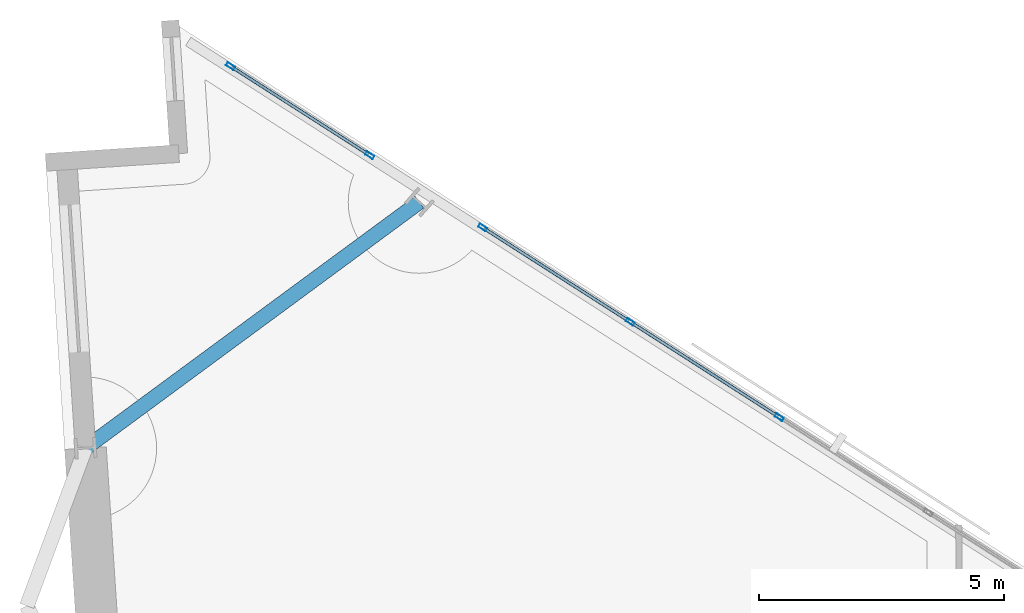
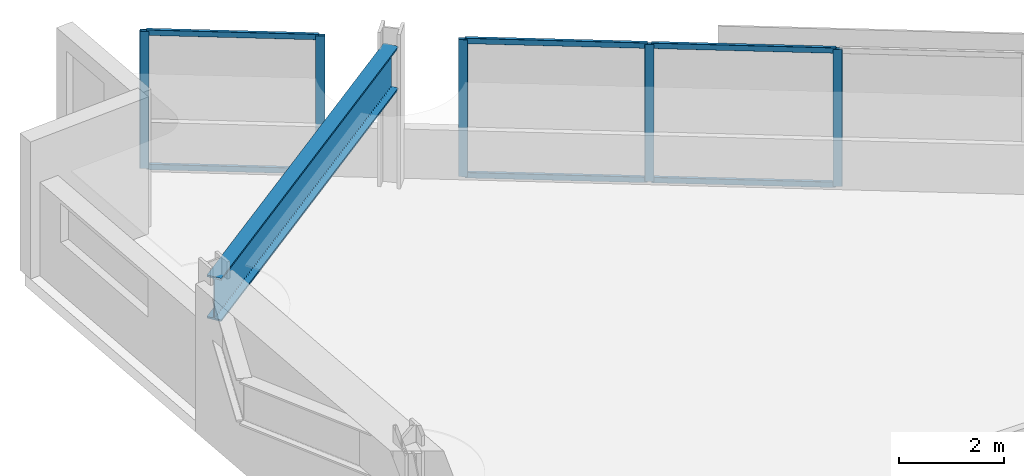
# One storey, part 8 of 15: 11 members, 1 beam, 2 elements without a shape of their own.
"""IFC4 building model written with IfcOpenShell, lengths in metres."""

from ifc_helpers import new_model, si_unit, direction, frame, origin, origin_2d, place, context, subcontext, project, spatial, hollow_rectangle, i_section, extrude, material, material_profile, profile_set, type_object, element, aggregate, save


model = new_model("IFC4")

# Units and contexts
model_context = context("Model", 3, precision=1e-05, world=origin(), true_north=direction((0.0, 1.0)))
body_context = subcontext(model_context, "Body", "Model", "MODEL_VIEW")
ifc_project = project(units=[si_unit("LENGTHUNIT", "METRE"), si_unit("AREAUNIT", "SQUARE_METRE"), si_unit("VOLUMEUNIT", "CUBIC_METRE"), si_unit("PLANEANGLEUNIT", "RADIAN"), si_unit("MASSUNIT", "GRAM", prefix="KILO")], contexts=[model_context])

# Site, building, storey
site_placement = place(None, origin())
site = spatial("IfcSite", under=ifc_project, at=site_placement, CompositionType="ELEMENT")
building_placement = place(site_placement, origin())
building = spatial("IfcBuilding", under=site, at=building_placement, Name="Narakoshi Arena Tower", CompositionType="ELEMENT")
storey_placement = place(building_placement, frame((0.0, 0.0, 92.10009765625)))
storey = spatial("IfcBuildingStorey", under=building, at=storey_placement, Name="L24", CompositionType="ELEMENT", Elevation=92.10009765625)

# Beam
ifc_material_1 = material(Name="Structural steel S460ML", Category="steel")
ifc_material_profile_1 = material_profile(ifc_material_1, i_section(OverallWidth=0.302001953125, OverallDepth=1.008056640625, WebThickness=0.02099609375, FlangeThickness=0.0400390625, FilletRadius=0.030029296875, at=origin_2d()), Name="HE1000M")
ifc_profile_set_1 = profile_set([ifc_material_profile_1], Name="Structural steel S460ML")
beam_type = type_object("IfcBeamType", Name="BM-XFER-1000", PredefinedType="BEAM", material=ifc_profile_set_1)
beam_placement = place(storey_placement, frame((67.58984375, 76.04345703125, 2.69580078125), z_axis=(-0.805132069621, -0.59309556605, 0.0), x_axis=(0.59309556605, -0.805132069621, 0.0)))
element("IfcBeam", 1, at=beam_placement, inside=storey, type_object=beam_type, Name="L24 Block-Turn Transfer Chord Girder 09", PredefinedType="BEAM", context=body_context, shape_type="SweptSolid", body=[
    extrude(i_section(OverallWidth=0.302001953125, OverallDepth=1.008056640625, WebThickness=0.02099609375, FlangeThickness=0.0400390625, FilletRadius=0.030029296875, at=origin_2d()), origin(), (0.0, 0.0, 1.0), 8.451416015625),
])

# Curtain wall, members
ifc_material_2 = material(Name="Anodised bronze aluminium 6063-T6", Category="aluminium")
curtain_wall_type = type_object("IfcCurtainWallType", Name="CW-HYP-LOW", PredefinedType="NOTDEFINED", material=ifc_material_2)
curtain_wall_1_placement = place(storey_placement, origin())
curtain_wall_1 = element("IfcCurtainWall", 2, at=curtain_wall_1_placement, inside=storey, type_object=curtain_wall_type, Name="L24 Folded Hypotenuse Curtain Wall 2-1", PredefinedType="NOTDEFINED")
ifc_material_profile_2 = material_profile(ifc_material_2, hollow_rectangle(XDim=0.074951171875, YDim=0.179931640625, WallThickness=0.00390625, OuterFilletRadius=0.0048828125, at=origin_2d()), Name="MUL180x75x4")
ifc_profile_set_2 = profile_set([ifc_material_profile_2], Name="Anodised bronze aluminium 6063-T6")
member_type_1 = type_object("IfcMemberType", Name="MEM-MUL-180", PredefinedType="MULLION", material=ifc_profile_set_2)
member_1_placement = place(storey_placement, frame((74.923828125, 71.660888671875, 0.0), z_axis=(0.0, 0.0, 1.0), x_axis=(-0.538830623288, -0.842414125835, 0.0)))
member_1 = element("IfcMember", 3, at=member_1_placement, type_object=member_type_1, Name="CW-01 mullion 4", PredefinedType="MULLION", context=body_context, shape_type="SweptSolid", body=[
    extrude(hollow_rectangle(XDim=0.074951171875, YDim=0.179931640625, WallThickness=0.00390625, OuterFilletRadius=0.0048828125, at=origin_2d()), origin(), (0.0, 0.0, 1.0), 3.199951171875),
])
member_2_placement = place(storey_placement, frame((71.88671875, 73.603759765625, 0.0), z_axis=(0.0, 0.0, 1.0), x_axis=(-0.538830623288, -0.842414125835, 0.0)))
member_2 = element("IfcMember", 4, at=member_2_placement, type_object=member_type_1, Name="CW-01 mullion 5", PredefinedType="MULLION", context=body_context, shape_type="SweptSolid", body=[
    extrude(hollow_rectangle(XDim=0.074951171875, YDim=0.179931640625, WallThickness=0.00390625, OuterFilletRadius=0.0048828125, at=origin_2d()), origin(), (0.0, 0.0, 1.0), 3.199951171875),
])
member_3_placement = place(storey_placement, frame((68.881103515625, 75.526123046875, 0.0), z_axis=(0.0, 0.0, 1.0), x_axis=(-0.538830623288, -0.842414125835, 0.0)))
member_3 = element("IfcMember", 5, at=member_3_placement, type_object=member_type_1, Name="CW-01 mullion 6", PredefinedType="MULLION", context=body_context, shape_type="SweptSolid", body=[
    extrude(hollow_rectangle(XDim=0.074951171875, YDim=0.179931640625, WallThickness=0.00390625, OuterFilletRadius=0.0048828125, at=origin_2d()), origin(), (0.0, 0.0, 1.0), 3.199951171875),
])

curtain_wall_2_placement = place(storey_placement, origin())
curtain_wall_2 = element("IfcCurtainWall", 6, at=curtain_wall_2_placement, inside=storey, type_object=curtain_wall_type, Name="L24 Folded Hypotenuse Curtain Wall 2-2", PredefinedType="NOTDEFINED")
member_4_placement = place(storey_placement, frame((66.5791015625, 76.99853515625, 0.0), z_axis=(0.0, 0.0, 1.0), x_axis=(-0.538846858807, -0.842403740943, 0.0)))
member_4 = element("IfcMember", 7, at=member_4_placement, type_object=member_type_1, Name="CW-01 mullion 1", PredefinedType="MULLION", context=body_context, shape_type="SweptSolid", body=[
    extrude(hollow_rectangle(XDim=0.074951171875, YDim=0.179931640625, WallThickness=0.00390625, OuterFilletRadius=0.0048828125, at=origin_2d()), origin(), (0.0, 0.0, 1.0), 3.199951171875),
])
member_5_placement = place(storey_placement, frame((63.7412109375, 78.813720703125, 0.0), z_axis=(0.0, 0.0, 1.0), x_axis=(-0.538846858807, -0.842403740943, 0.0)))
member_5 = element("IfcMember", 8, at=member_5_placement, type_object=member_type_1, Name="CW-01 mullion 2", PredefinedType="MULLION", context=body_context, shape_type="SweptSolid", body=[
    extrude(hollow_rectangle(XDim=0.074951171875, YDim=0.179931640625, WallThickness=0.00390625, OuterFilletRadius=0.0048828125, at=origin_2d()), origin(), (0.0, 0.0, 1.0), 3.199951171875),
])

# Member
ifc_material_profile_3 = material_profile(ifc_material_2, hollow_rectangle(XDim=0.06494140625, YDim=0.1298828125, WallThickness=0.00390625, OuterFilletRadius=0.0048828125, at=origin_2d()), Name="TRN130x65x4")
ifc_profile_set_3 = profile_set([ifc_material_profile_3], Name="Anodised bronze aluminium 6063-T6")
member_type_2 = type_object("IfcMemberType", Name="MEM-TRN-130", PredefinedType="USERDEFINED", material=ifc_profile_set_3)
member_6_placement = place(storey_placement, frame((74.892333984375, 71.68115234375, 0.032470703125), z_axis=(-0.842412031161, 0.538833898113, 0.0), x_axis=(-0.538833898113, -0.842412031161, 0.0)))
member_6 = element("IfcMember", 9, at=member_6_placement, type_object=member_type_2, Name="CW-01 transom 4.1", ObjectType="TRANSOM", PredefinedType="USERDEFINED", context=body_context, shape_type="SweptSolid", body=[
    extrude(hollow_rectangle(XDim=0.06494140625, YDim=0.1298828125, WallThickness=0.00390625, OuterFilletRadius=0.0048828125, at=origin_2d()), origin(), (0.0, 0.0, 1.0), 3.530517578125),
])

member_7_placement = place(storey_placement, frame((74.892333984375, 71.68115234375, 3.16748046875), z_axis=(-0.842412031161, 0.538833898113, 0.0), x_axis=(-0.538833898113, -0.842412031161, 0.0)))
member_7 = element("IfcMember", 10, at=member_7_placement, type_object=member_type_2, Name="CW-01 transom 4.2", ObjectType="TRANSOM", PredefinedType="USERDEFINED", context=body_context, shape_type="SweptSolid", body=[
    extrude(hollow_rectangle(XDim=0.06494140625, YDim=0.1298828125, WallThickness=0.00390625, OuterFilletRadius=0.0048828125, at=origin_2d()), origin(), (0.0, 0.0, 1.0), 3.530517578125),
])

member_8_placement = place(storey_placement, frame((71.85498046875, 73.6240234375, 0.032470703125), z_axis=(-0.84240720239, 0.53884144733, 0.0), x_axis=(-0.53884144733, -0.84240720239, 0.0)))
member_8 = element("IfcMember", 11, at=member_8_placement, type_object=member_type_2, Name="CW-01 transom 5.1", ObjectType="TRANSOM", PredefinedType="USERDEFINED", context=body_context, shape_type="SweptSolid", body=[
    extrude(hollow_rectangle(XDim=0.06494140625, YDim=0.1298828125, WallThickness=0.00390625, OuterFilletRadius=0.0048828125, at=origin_2d()), origin(), (0.0, 0.0, 1.0), 3.492919921875),
])

member_9_placement = place(storey_placement, frame((71.85498046875, 73.6240234375, 3.16748046875), z_axis=(-0.84240720239, 0.53884144733, 0.0), x_axis=(-0.53884144733, -0.84240720239, 0.0)))
member_9 = element("IfcMember", 12, at=member_9_placement, type_object=member_type_2, Name="CW-01 transom 5.2", ObjectType="TRANSOM", PredefinedType="USERDEFINED", context=body_context, shape_type="SweptSolid", body=[
    extrude(hollow_rectangle(XDim=0.06494140625, YDim=0.1298828125, WallThickness=0.00390625, OuterFilletRadius=0.0048828125, at=origin_2d()), origin(), (0.0, 0.0, 1.0), 3.492919921875),
])

aggregate(curtain_wall_1, [member_1, member_2, member_3, member_6, member_7, member_8, member_9])

member_10_placement = place(storey_placement, frame((66.547607421875, 77.018798828125, 0.032470703125), z_axis=(-0.842392531686, 0.538864382345, 0.0), x_axis=(-0.538864382345, -0.842392531686, 0.0)))
member_10 = element("IfcMember", 13, at=member_10_placement, type_object=member_type_2, Name="CW-01 transom 1.1", ObjectType="TRANSOM", PredefinedType="USERDEFINED", context=body_context, shape_type="SweptSolid", body=[
    extrude(hollow_rectangle(XDim=0.06494140625, YDim=0.1298828125, WallThickness=0.00390625, OuterFilletRadius=0.0048828125, at=origin_2d()), origin(), (0.0, 0.0, 1.0), 3.293701171875),
])

member_11_placement = place(storey_placement, frame((66.547607421875, 77.018798828125, 3.16748046875), z_axis=(-0.842392531686, 0.538864382345, 0.0), x_axis=(-0.538864382345, -0.842392531686, 0.0)))
member_11 = element("IfcMember", 14, at=member_11_placement, type_object=member_type_2, Name="CW-01 transom 1.2", ObjectType="TRANSOM", PredefinedType="USERDEFINED", context=body_context, shape_type="SweptSolid", body=[
    extrude(hollow_rectangle(XDim=0.06494140625, YDim=0.1298828125, WallThickness=0.00390625, OuterFilletRadius=0.0048828125, at=origin_2d()), origin(), (0.0, 0.0, 1.0), 3.293701171875),
])

aggregate(curtain_wall_2, [member_4, member_5, member_10, member_11])

save(model, "model.ifc")
